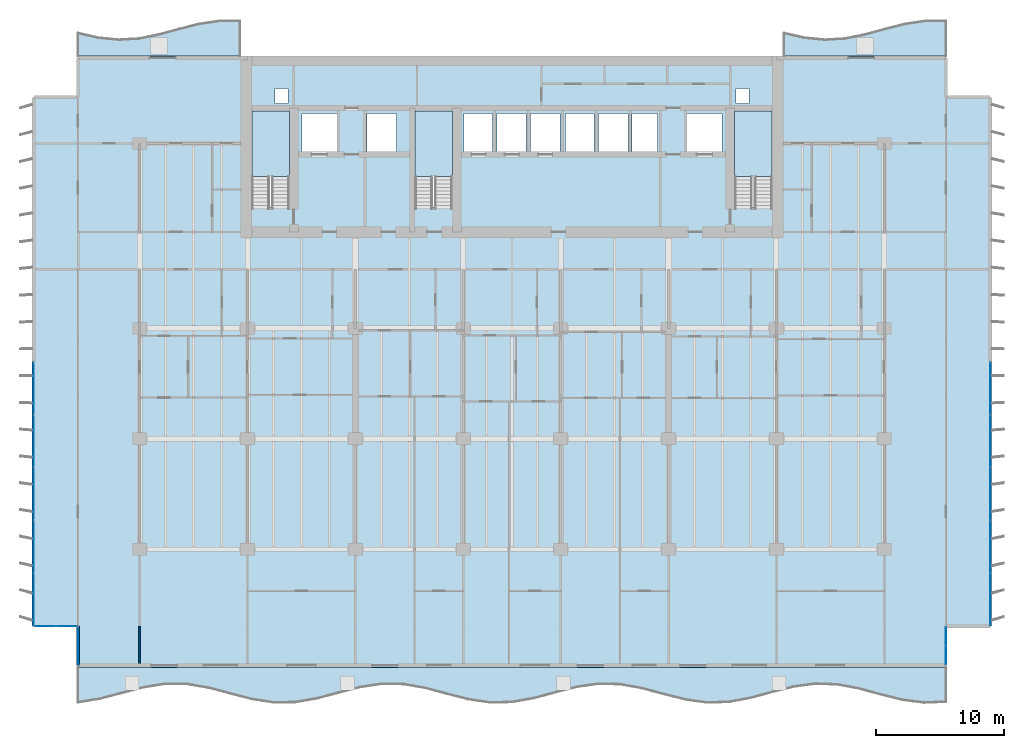
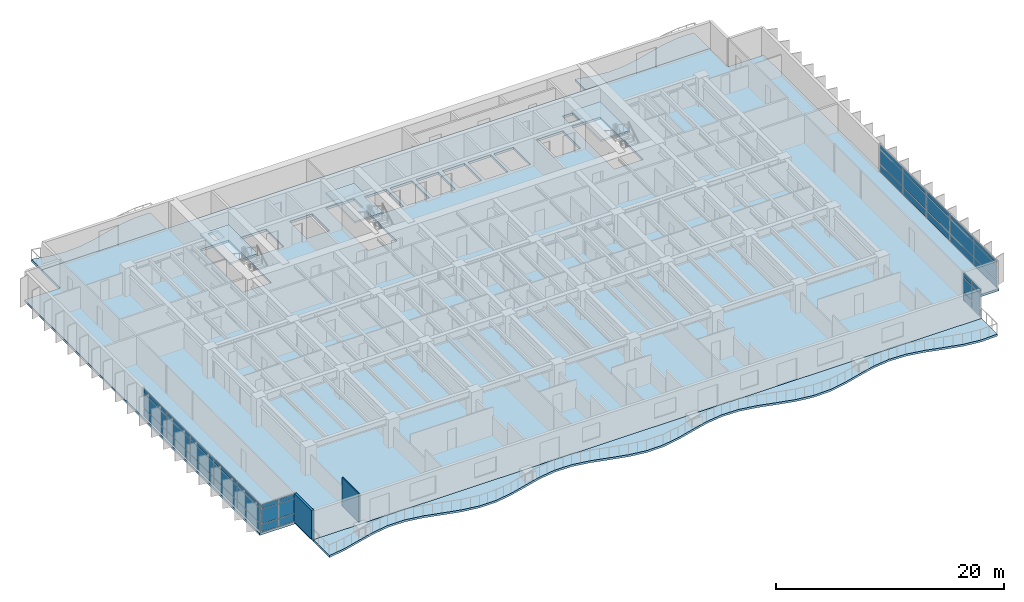
# One storey, part 5 of 18: 42 plates, 7 slabs, 2 walls, 7 elements without a shape of their own.
"""IFC4 building model written with IfcOpenShell, lengths in metres."""

from ifc_helpers import new_model, si_unit, direction, frame, frame_2d, origin, origin_2d, place, context, subcontext, project, spatial, polyline, rectangle, outline, extrude, material, layer, layer_set, type_object, element, aggregate, save


model = new_model("IFC4")

# Units and contexts
model_context = context("Model", 3, precision=1e-05, world=origin(), true_north=direction((0.0, 1.0)))
body_context = subcontext(model_context, "Body", "Model", "MODEL_VIEW")
ifc_project = project(units=[si_unit("LENGTHUNIT", "METRE"), si_unit("AREAUNIT", "SQUARE_METRE"), si_unit("VOLUMEUNIT", "CUBIC_METRE"), si_unit("PLANEANGLEUNIT", "RADIAN"), si_unit("MASSUNIT", "GRAM", prefix="KILO")], contexts=[model_context])

# Site, building, storey
site_placement = place(None, origin())
site = spatial("IfcSite", under=ifc_project, at=site_placement, CompositionType="ELEMENT")
building_placement = place(site_placement, origin())
building = spatial("IfcBuilding", under=site, at=building_placement, Name="Caelmar Bay Residences", CompositionType="ELEMENT")
storey_placement = place(building_placement, frame((0.0, 0.0, 39.89990234375)))
storey = spatial("IfcBuildingStorey", under=building, at=storey_placement, Name="L09", CompositionType="ELEMENT", Elevation=39.89990234375)

# Curtain wall, plates
ifc_material_1 = material(Name="Anodised bronze aluminium 6063-T6 and laminated glass", Category="aluminium")
ifc_layer_1 = layer(ifc_material_1, 0.179931640625)
ifc_layer_set_1 = layer_set([ifc_layer_1], Name="Anodised bronze aluminium 6063-T6 and laminated glass")
curtain_wall_type_1 = type_object("IfcCurtainWallType", Name="CW6-NTC", PredefinedType="NOTDEFINED", material=ifc_layer_set_1)
curtain_wall_1_placement = place(storey_placement, origin())
curtain_wall_1 = element("IfcCurtainWall", 1, at=curtain_wall_1_placement, inside=storey, type_object=curtain_wall_type_1, Name="CW6 curtain wall L09", PredefinedType="NOTDEFINED")
ifc_material_2 = material(Name="Bronze-tinted laminated low-E hurricane glass 28 mm", Category="glass")
ifc_layer_2 = layer(ifc_material_2, 0.028076171875)
ifc_layer_set_2 = layer_set([ifc_layer_2], Name="Bronze-tinted laminated low-E hurricane glass 28 mm")
plate_type = type_object("IfcPlateType", Name="CWP-GLZ28", PredefinedType="CURTAIN_PANEL", material=ifc_layer_set_2)
plate_1_placement = place(storey_placement, frame((2.532470703125, 6.199951171875, 0.080078125), z_axis=(0.0, 0.0, 1.0), x_axis=(1.0, 0.0, 0.0)))
plate_1 = element("IfcPlate", 2, at=plate_1_placement, type_object=plate_type, Name="CW6 panel 1.1", PredefinedType="CURTAIN_PANEL", context=body_context, shape_type="SweptSolid", body=[
    extrude(rectangle(XDim=1.60498046875, YDim=0.028076171875, at=origin_2d()), origin(), (0.0, 0.0, 1.0), 0.780029296875),
])
plate_2_placement = place(storey_placement, frame((2.532470703125, 6.199951171875, 0.940185546875), z_axis=(0.0, 0.0, 1.0), x_axis=(1.0, 0.0, 0.0)))
plate_2 = element("IfcPlate", 3, at=plate_2_placement, type_object=plate_type, Name="CW6 panel 1.2", PredefinedType="CURTAIN_PANEL", context=body_context, shape_type="SweptSolid", body=[
    extrude(rectangle(XDim=1.60498046875, YDim=0.028076171875, at=origin_2d()), origin(), (0.0, 0.0, 1.0), 1.52001953125),
])
plate_3_placement = place(storey_placement, frame((2.532470703125, 6.199951171875, 2.5400390625), z_axis=(0.0, 0.0, 1.0), x_axis=(1.0, 0.0, 0.0)))
plate_3 = element("IfcPlate", 4, at=plate_3_placement, type_object=plate_type, Name="CW6 panel 1.3", PredefinedType="CURTAIN_PANEL", context=body_context, shape_type="SweptSolid", body=[
    extrude(rectangle(XDim=1.60498046875, YDim=0.028076171875, at=origin_2d()), origin(), (0.0, 0.0, 1.0), 0.429931640625),
])
plate_4_placement = place(storey_placement, frame((4.217529296875, 6.199951171875, 0.080078125), z_axis=(0.0, 0.0, 1.0), x_axis=(1.0, 0.0, 0.0)))
plate_4 = element("IfcPlate", 5, at=plate_4_placement, type_object=plate_type, Name="CW6 panel 2.1", PredefinedType="CURTAIN_PANEL", context=body_context, shape_type="SweptSolid", body=[
    extrude(rectangle(XDim=1.60498046875, YDim=0.028076171875, at=origin_2d()), origin(), (0.0, 0.0, 1.0), 0.780029296875),
])
plate_5_placement = place(storey_placement, frame((4.217529296875, 6.199951171875, 0.940185546875), z_axis=(0.0, 0.0, 1.0), x_axis=(1.0, 0.0, 0.0)))
plate_5 = element("IfcPlate", 6, at=plate_5_placement, type_object=plate_type, Name="CW6 panel 2.2", PredefinedType="CURTAIN_PANEL", context=body_context, shape_type="SweptSolid", body=[
    extrude(rectangle(XDim=1.60498046875, YDim=0.028076171875, at=origin_2d()), origin(), (0.0, 0.0, 1.0), 1.52001953125),
])
plate_6_placement = place(storey_placement, frame((4.217529296875, 6.199951171875, 2.5400390625), z_axis=(0.0, 0.0, 1.0), x_axis=(1.0, 0.0, 0.0)))
plate_6 = element("IfcPlate", 7, at=plate_6_placement, type_object=plate_type, Name="CW6 panel 2.3", PredefinedType="CURTAIN_PANEL", context=body_context, shape_type="SweptSolid", body=[
    extrude(rectangle(XDim=1.60498046875, YDim=0.028076171875, at=origin_2d()), origin(), (0.0, 0.0, 1.0), 0.429931640625),
])
aggregate(curtain_wall_1, [plate_1, plate_2, plate_3, plate_4, plate_5, plate_6])

curtain_wall_2_placement = place(storey_placement, origin())
curtain_wall_2 = element("IfcCurtainWall", 8, at=curtain_wall_2_placement, inside=storey, type_object=curtain_wall_type_1, Name="CW6 curtain wall L09", PredefinedType="NOTDEFINED")
plate_7_placement = place(storey_placement, frame((72.699951171875, 3.9326171875, 0.080078125), z_axis=(0.0, 0.0, 1.0), x_axis=(0.0, 1.0, 0.0)))
plate_7 = element("IfcPlate", 9, at=plate_7_placement, type_object=plate_type, Name="CW6 panel 1.1", PredefinedType="CURTAIN_PANEL", context=body_context, shape_type="SweptSolid", body=[
    extrude(rectangle(XDim=1.405029296875, YDim=0.028076171875, at=origin_2d()), origin(), (0.0, 0.0, 1.0), 0.780029296875),
])
plate_8_placement = place(storey_placement, frame((72.699951171875, 3.9326171875, 0.940185546875), z_axis=(0.0, 0.0, 1.0), x_axis=(0.0, 1.0, 0.0)))
plate_8 = element("IfcPlate", 10, at=plate_8_placement, type_object=plate_type, Name="CW6 panel 1.2", PredefinedType="CURTAIN_PANEL", context=body_context, shape_type="SweptSolid", body=[
    extrude(rectangle(XDim=1.405029296875, YDim=0.028076171875, at=origin_2d()), origin(), (0.0, 0.0, 1.0), 1.52001953125),
])
plate_9_placement = place(storey_placement, frame((72.699951171875, 3.9326171875, 2.5400390625), z_axis=(0.0, 0.0, 1.0), x_axis=(0.0, 1.0, 0.0)))
plate_9 = element("IfcPlate", 11, at=plate_9_placement, type_object=plate_type, Name="CW6 panel 1.3", PredefinedType="CURTAIN_PANEL", context=body_context, shape_type="SweptSolid", body=[
    extrude(rectangle(XDim=1.405029296875, YDim=0.028076171875, at=origin_2d()), origin(), (0.0, 0.0, 1.0), 0.429931640625),
])
plate_10_placement = place(storey_placement, frame((72.699951171875, 5.41748046875, 0.080078125), z_axis=(0.0, 0.0, 1.0), x_axis=(0.0, 1.0, 0.0)))
plate_10 = element("IfcPlate", 12, at=plate_10_placement, type_object=plate_type, Name="CW6 panel 2.1", PredefinedType="CURTAIN_PANEL", context=body_context, shape_type="SweptSolid", body=[
    extrude(rectangle(XDim=1.405029296875, YDim=0.028076171875, at=origin_2d()), origin(), (0.0, 0.0, 1.0), 0.780029296875),
])
plate_11_placement = place(storey_placement, frame((72.699951171875, 5.41748046875, 0.940185546875), z_axis=(0.0, 0.0, 1.0), x_axis=(0.0, 1.0, 0.0)))
plate_11 = element("IfcPlate", 13, at=plate_11_placement, type_object=plate_type, Name="CW6 panel 2.2", PredefinedType="CURTAIN_PANEL", context=body_context, shape_type="SweptSolid", body=[
    extrude(rectangle(XDim=1.405029296875, YDim=0.028076171875, at=origin_2d()), origin(), (0.0, 0.0, 1.0), 1.52001953125),
])
plate_12_placement = place(storey_placement, frame((72.699951171875, 5.41748046875, 2.5400390625), z_axis=(0.0, 0.0, 1.0), x_axis=(0.0, 1.0, 0.0)))
plate_12 = element("IfcPlate", 14, at=plate_12_placement, type_object=plate_type, Name="CW6 panel 2.3", PredefinedType="CURTAIN_PANEL", context=body_context, shape_type="SweptSolid", body=[
    extrude(rectangle(XDim=1.405029296875, YDim=0.028076171875, at=origin_2d()), origin(), (0.0, 0.0, 1.0), 0.429931640625),
])
aggregate(curtain_wall_2, [plate_7, plate_8, plate_9, plate_10, plate_11, plate_12])

ifc_layer_3 = layer(ifc_material_1, 0.179931640625)
ifc_layer_set_3 = layer_set([ifc_layer_3], Name="Anodised bronze aluminium 6063-T6 and laminated glass")
curtain_wall_type_2 = type_object("IfcCurtainWallType", Name="CW2-Z1", PredefinedType="NOTDEFINED", material=ifc_layer_set_3)
curtain_wall_3_placement = place(storey_placement, origin())
curtain_wall_3 = element("IfcCurtainWall", 15, at=curtain_wall_3_placement, inside=storey, type_object=curtain_wall_type_2, Name="CW2 curtain wall L09", PredefinedType="NOTDEFINED")
plate_13_placement = place(storey_placement, frame((1.64990234375, 8.280029296875, 0.080078125), z_axis=(0.0, 0.0, 1.0), x_axis=(0.0, 1.0, 0.0)))
plate_13 = element("IfcPlate", 16, at=plate_13_placement, type_object=plate_type, Name="CW2 panel 1.1", PredefinedType="CURTAIN_PANEL", context=body_context, shape_type="SweptSolid", body=[
    extrude(rectangle(XDim=4.0, YDim=0.028076171875, at=origin_2d()), origin(), (0.0, 0.0, 1.0), 0.780029296875),
])
plate_14_placement = place(storey_placement, frame((1.64990234375, 8.280029296875, 0.940185546875), z_axis=(0.0, 0.0, 1.0), x_axis=(0.0, 1.0, 0.0)))
plate_14 = element("IfcPlate", 17, at=plate_14_placement, type_object=plate_type, Name="CW2 panel 1.2", PredefinedType="CURTAIN_PANEL", context=body_context, shape_type="SweptSolid", body=[
    extrude(rectangle(XDim=4.0, YDim=0.028076171875, at=origin_2d()), origin(), (0.0, 0.0, 1.0), 1.52001953125),
])
plate_15_placement = place(storey_placement, frame((1.64990234375, 8.280029296875, 2.5400390625), z_axis=(0.0, 0.0, 1.0), x_axis=(0.0, 1.0, 0.0)))
plate_15 = element("IfcPlate", 18, at=plate_15_placement, type_object=plate_type, Name="CW2 panel 1.3", PredefinedType="CURTAIN_PANEL", context=body_context, shape_type="SweptSolid", body=[
    extrude(rectangle(XDim=4.0, YDim=0.028076171875, at=origin_2d()), origin(), (0.0, 0.0, 1.0), 0.429931640625),
])
plate_16_placement = place(storey_placement, frame((1.64990234375, 12.3798828125, 0.080078125), z_axis=(0.0, 0.0, 1.0), x_axis=(0.0, 1.0, 0.0)))
plate_16 = element("IfcPlate", 19, at=plate_16_placement, type_object=plate_type, Name="CW2 panel 2.1", PredefinedType="CURTAIN_PANEL", context=body_context, shape_type="SweptSolid", body=[
    extrude(rectangle(XDim=4.0400390625, YDim=0.028076171875, at=origin_2d()), origin(), (0.0, 0.0, 1.0), 0.780029296875),
])
plate_17_placement = place(storey_placement, frame((1.64990234375, 12.3798828125, 0.940185546875), z_axis=(0.0, 0.0, 1.0), x_axis=(0.0, 1.0, 0.0)))
plate_17 = element("IfcPlate", 20, at=plate_17_placement, type_object=plate_type, Name="CW2 panel 2.2", PredefinedType="CURTAIN_PANEL", context=body_context, shape_type="SweptSolid", body=[
    extrude(rectangle(XDim=4.0400390625, YDim=0.028076171875, at=origin_2d()), origin(), (0.0, 0.0, 1.0), 1.52001953125),
])
plate_18_placement = place(storey_placement, frame((1.64990234375, 12.3798828125, 2.5400390625), z_axis=(0.0, 0.0, 1.0), x_axis=(0.0, 1.0, 0.0)))
plate_18 = element("IfcPlate", 21, at=plate_18_placement, type_object=plate_type, Name="CW2 panel 2.3", PredefinedType="CURTAIN_PANEL", context=body_context, shape_type="SweptSolid", body=[
    extrude(rectangle(XDim=4.0400390625, YDim=0.028076171875, at=origin_2d()), origin(), (0.0, 0.0, 1.0), 0.429931640625),
])
plate_19_placement = place(storey_placement, frame((1.64990234375, 16.5, 0.080078125), z_axis=(0.0, 0.0, 1.0), x_axis=(0.0, 1.0, 0.0)))
plate_19 = element("IfcPlate", 22, at=plate_19_placement, type_object=plate_type, Name="CW2 panel 3.1", PredefinedType="CURTAIN_PANEL", context=body_context, shape_type="SweptSolid", body=[
    extrude(rectangle(XDim=4.0400390625, YDim=0.028076171875, at=origin_2d()), origin(), (0.0, 0.0, 1.0), 0.780029296875),
])
plate_20_placement = place(storey_placement, frame((1.64990234375, 16.5, 0.940185546875), z_axis=(0.0, 0.0, 1.0), x_axis=(0.0, 1.0, 0.0)))
plate_20 = element("IfcPlate", 23, at=plate_20_placement, type_object=plate_type, Name="CW2 panel 3.2", PredefinedType="CURTAIN_PANEL", context=body_context, shape_type="SweptSolid", body=[
    extrude(rectangle(XDim=4.0400390625, YDim=0.028076171875, at=origin_2d()), origin(), (0.0, 0.0, 1.0), 1.52001953125),
])
plate_21_placement = place(storey_placement, frame((1.64990234375, 16.5, 2.5400390625), z_axis=(0.0, 0.0, 1.0), x_axis=(0.0, 1.0, 0.0)))
plate_21 = element("IfcPlate", 24, at=plate_21_placement, type_object=plate_type, Name="CW2 panel 3.3", PredefinedType="CURTAIN_PANEL", context=body_context, shape_type="SweptSolid", body=[
    extrude(rectangle(XDim=4.0400390625, YDim=0.028076171875, at=origin_2d()), origin(), (0.0, 0.0, 1.0), 0.429931640625),
])
plate_22_placement = place(storey_placement, frame((1.64990234375, 20.6201171875, 0.080078125), z_axis=(0.0, 0.0, 1.0), x_axis=(0.0, 1.0, 0.0)))
plate_22 = element("IfcPlate", 25, at=plate_22_placement, type_object=plate_type, Name="CW2 panel 4.1", PredefinedType="CURTAIN_PANEL", context=body_context, shape_type="SweptSolid", body=[
    extrude(rectangle(XDim=4.0400390625, YDim=0.028076171875, at=origin_2d()), origin(), (0.0, 0.0, 1.0), 0.780029296875),
])
plate_23_placement = place(storey_placement, frame((1.64990234375, 20.6201171875, 0.940185546875), z_axis=(0.0, 0.0, 1.0), x_axis=(0.0, 1.0, 0.0)))
plate_23 = element("IfcPlate", 26, at=plate_23_placement, type_object=plate_type, Name="CW2 panel 4.2", PredefinedType="CURTAIN_PANEL", context=body_context, shape_type="SweptSolid", body=[
    extrude(rectangle(XDim=4.0400390625, YDim=0.028076171875, at=origin_2d()), origin(), (0.0, 0.0, 1.0), 1.52001953125),
])
plate_24_placement = place(storey_placement, frame((1.64990234375, 20.6201171875, 2.5400390625), z_axis=(0.0, 0.0, 1.0), x_axis=(0.0, 1.0, 0.0)))
plate_24 = element("IfcPlate", 27, at=plate_24_placement, type_object=plate_type, Name="CW2 panel 4.3", PredefinedType="CURTAIN_PANEL", context=body_context, shape_type="SweptSolid", body=[
    extrude(rectangle(XDim=4.0400390625, YDim=0.028076171875, at=origin_2d()), origin(), (0.0, 0.0, 1.0), 0.429931640625),
])
plate_25_placement = place(storey_placement, frame((1.64990234375, 24.719970703125, 0.080078125), z_axis=(0.0, 0.0, 1.0), x_axis=(0.0, 1.0, 0.0)))
plate_25 = element("IfcPlate", 28, at=plate_25_placement, type_object=plate_type, Name="CW2 panel 5.1", PredefinedType="CURTAIN_PANEL", context=body_context, shape_type="SweptSolid", body=[
    extrude(rectangle(XDim=4.0, YDim=0.028076171875, at=origin_2d()), origin(), (0.0, 0.0, 1.0), 0.780029296875),
])
plate_26_placement = place(storey_placement, frame((1.64990234375, 24.719970703125, 0.940185546875), z_axis=(0.0, 0.0, 1.0), x_axis=(0.0, 1.0, 0.0)))
plate_26 = element("IfcPlate", 29, at=plate_26_placement, type_object=plate_type, Name="CW2 panel 5.2", PredefinedType="CURTAIN_PANEL", context=body_context, shape_type="SweptSolid", body=[
    extrude(rectangle(XDim=4.0, YDim=0.028076171875, at=origin_2d()), origin(), (0.0, 0.0, 1.0), 1.52001953125),
])
plate_27_placement = place(storey_placement, frame((1.64990234375, 24.719970703125, 2.5400390625), z_axis=(0.0, 0.0, 1.0), x_axis=(0.0, 1.0, 0.0)))
plate_27 = element("IfcPlate", 30, at=plate_27_placement, type_object=plate_type, Name="CW2 panel 5.3", PredefinedType="CURTAIN_PANEL", context=body_context, shape_type="SweptSolid", body=[
    extrude(rectangle(XDim=4.0, YDim=0.028076171875, at=origin_2d()), origin(), (0.0, 0.0, 1.0), 0.429931640625),
])
aggregate(curtain_wall_3, [plate_13, plate_14, plate_15, plate_16, plate_17, plate_18, plate_19, plate_20, plate_21, plate_22, plate_23, plate_24, plate_25, plate_26, plate_27])

curtain_wall_4_placement = place(storey_placement, origin())
curtain_wall_4 = element("IfcCurtainWall", 31, at=curtain_wall_4_placement, inside=storey, type_object=curtain_wall_type_2, Name="CW2 curtain wall L09", PredefinedType="NOTDEFINED")
plate_28_placement = place(storey_placement, frame((76.14990234375, 24.719970703125, 0.080078125), z_axis=(0.0, 0.0, 1.0), x_axis=(0.0, -1.0, 0.0)))
plate_28 = element("IfcPlate", 32, at=plate_28_placement, type_object=plate_type, Name="CW2 panel 1.1", PredefinedType="CURTAIN_PANEL", context=body_context, shape_type="SweptSolid", body=[
    extrude(rectangle(XDim=4.0, YDim=0.028076171875, at=origin_2d()), origin(), (0.0, 0.0, 1.0), 0.780029296875),
])
plate_29_placement = place(storey_placement, frame((76.14990234375, 24.719970703125, 0.940185546875), z_axis=(0.0, 0.0, 1.0), x_axis=(0.0, -1.0, 0.0)))
plate_29 = element("IfcPlate", 33, at=plate_29_placement, type_object=plate_type, Name="CW2 panel 1.2", PredefinedType="CURTAIN_PANEL", context=body_context, shape_type="SweptSolid", body=[
    extrude(rectangle(XDim=4.0, YDim=0.028076171875, at=origin_2d()), origin(), (0.0, 0.0, 1.0), 1.52001953125),
])
plate_30_placement = place(storey_placement, frame((76.14990234375, 24.719970703125, 2.5400390625), z_axis=(0.0, 0.0, 1.0), x_axis=(0.0, -1.0, 0.0)))
plate_30 = element("IfcPlate", 34, at=plate_30_placement, type_object=plate_type, Name="CW2 panel 1.3", PredefinedType="CURTAIN_PANEL", context=body_context, shape_type="SweptSolid", body=[
    extrude(rectangle(XDim=4.0, YDim=0.028076171875, at=origin_2d()), origin(), (0.0, 0.0, 1.0), 0.429931640625),
])
plate_31_placement = place(storey_placement, frame((76.14990234375, 20.6201171875, 0.080078125), z_axis=(0.0, 0.0, 1.0), x_axis=(0.0, -1.0, 0.0)))
plate_31 = element("IfcPlate", 35, at=plate_31_placement, type_object=plate_type, Name="CW2 panel 2.1", PredefinedType="CURTAIN_PANEL", context=body_context, shape_type="SweptSolid", body=[
    extrude(rectangle(XDim=4.0400390625, YDim=0.028076171875, at=origin_2d()), origin(), (0.0, 0.0, 1.0), 0.780029296875),
])
plate_32_placement = place(storey_placement, frame((76.14990234375, 20.6201171875, 0.940185546875), z_axis=(0.0, 0.0, 1.0), x_axis=(0.0, -1.0, 0.0)))
plate_32 = element("IfcPlate", 36, at=plate_32_placement, type_object=plate_type, Name="CW2 panel 2.2", PredefinedType="CURTAIN_PANEL", context=body_context, shape_type="SweptSolid", body=[
    extrude(rectangle(XDim=4.0400390625, YDim=0.028076171875, at=origin_2d()), origin(), (0.0, 0.0, 1.0), 1.52001953125),
])
plate_33_placement = place(storey_placement, frame((76.14990234375, 20.6201171875, 2.5400390625), z_axis=(0.0, 0.0, 1.0), x_axis=(0.0, -1.0, 0.0)))
plate_33 = element("IfcPlate", 37, at=plate_33_placement, type_object=plate_type, Name="CW2 panel 2.3", PredefinedType="CURTAIN_PANEL", context=body_context, shape_type="SweptSolid", body=[
    extrude(rectangle(XDim=4.0400390625, YDim=0.028076171875, at=origin_2d()), origin(), (0.0, 0.0, 1.0), 0.429931640625),
])
plate_34_placement = place(storey_placement, frame((76.14990234375, 16.5, 0.080078125), z_axis=(0.0, 0.0, 1.0), x_axis=(0.0, -1.0, 0.0)))
plate_34 = element("IfcPlate", 38, at=plate_34_placement, type_object=plate_type, Name="CW2 panel 3.1", PredefinedType="CURTAIN_PANEL", context=body_context, shape_type="SweptSolid", body=[
    extrude(rectangle(XDim=4.0400390625, YDim=0.028076171875, at=origin_2d()), origin(), (0.0, 0.0, 1.0), 0.780029296875),
])
plate_35_placement = place(storey_placement, frame((76.14990234375, 16.5, 0.940185546875), z_axis=(0.0, 0.0, 1.0), x_axis=(0.0, -1.0, 0.0)))
plate_35 = element("IfcPlate", 39, at=plate_35_placement, type_object=plate_type, Name="CW2 panel 3.2", PredefinedType="CURTAIN_PANEL", context=body_context, shape_type="SweptSolid", body=[
    extrude(rectangle(XDim=4.0400390625, YDim=0.028076171875, at=origin_2d()), origin(), (0.0, 0.0, 1.0), 1.52001953125),
])
plate_36_placement = place(storey_placement, frame((76.14990234375, 16.5, 2.5400390625), z_axis=(0.0, 0.0, 1.0), x_axis=(0.0, -1.0, 0.0)))
plate_36 = element("IfcPlate", 40, at=plate_36_placement, type_object=plate_type, Name="CW2 panel 3.3", PredefinedType="CURTAIN_PANEL", context=body_context, shape_type="SweptSolid", body=[
    extrude(rectangle(XDim=4.0400390625, YDim=0.028076171875, at=origin_2d()), origin(), (0.0, 0.0, 1.0), 0.429931640625),
])
plate_37_placement = place(storey_placement, frame((76.14990234375, 12.3798828125, 0.080078125), z_axis=(0.0, 0.0, 1.0), x_axis=(0.0, -1.0, 0.0)))
plate_37 = element("IfcPlate", 41, at=plate_37_placement, type_object=plate_type, Name="CW2 panel 4.1", PredefinedType="CURTAIN_PANEL", context=body_context, shape_type="SweptSolid", body=[
    extrude(rectangle(XDim=4.0400390625, YDim=0.028076171875, at=origin_2d()), origin(), (0.0, 0.0, 1.0), 0.780029296875),
])
plate_38_placement = place(storey_placement, frame((76.14990234375, 12.3798828125, 0.940185546875), z_axis=(0.0, 0.0, 1.0), x_axis=(0.0, -1.0, 0.0)))
plate_38 = element("IfcPlate", 42, at=plate_38_placement, type_object=plate_type, Name="CW2 panel 4.2", PredefinedType="CURTAIN_PANEL", context=body_context, shape_type="SweptSolid", body=[
    extrude(rectangle(XDim=4.0400390625, YDim=0.028076171875, at=origin_2d()), origin(), (0.0, 0.0, 1.0), 1.52001953125),
])
plate_39_placement = place(storey_placement, frame((76.14990234375, 12.3798828125, 2.5400390625), z_axis=(0.0, 0.0, 1.0), x_axis=(0.0, -1.0, 0.0)))
plate_39 = element("IfcPlate", 43, at=plate_39_placement, type_object=plate_type, Name="CW2 panel 4.3", PredefinedType="CURTAIN_PANEL", context=body_context, shape_type="SweptSolid", body=[
    extrude(rectangle(XDim=4.0400390625, YDim=0.028076171875, at=origin_2d()), origin(), (0.0, 0.0, 1.0), 0.429931640625),
])
plate_40_placement = place(storey_placement, frame((76.14990234375, 8.280029296875, 0.080078125), z_axis=(0.0, 0.0, 1.0), x_axis=(0.0, -1.0, 0.0)))
plate_40 = element("IfcPlate", 44, at=plate_40_placement, type_object=plate_type, Name="CW2 panel 5.1", PredefinedType="CURTAIN_PANEL", context=body_context, shape_type="SweptSolid", body=[
    extrude(rectangle(XDim=4.0, YDim=0.028076171875, at=origin_2d()), origin(), (0.0, 0.0, 1.0), 0.780029296875),
])
plate_41_placement = place(storey_placement, frame((76.14990234375, 8.280029296875, 0.940185546875), z_axis=(0.0, 0.0, 1.0), x_axis=(0.0, -1.0, 0.0)))
plate_41 = element("IfcPlate", 45, at=plate_41_placement, type_object=plate_type, Name="CW2 panel 5.2", PredefinedType="CURTAIN_PANEL", context=body_context, shape_type="SweptSolid", body=[
    extrude(rectangle(XDim=4.0, YDim=0.028076171875, at=origin_2d()), origin(), (0.0, 0.0, 1.0), 1.52001953125),
])
plate_42_placement = place(storey_placement, frame((76.14990234375, 8.280029296875, 2.5400390625), z_axis=(0.0, 0.0, 1.0), x_axis=(0.0, -1.0, 0.0)))
plate_42 = element("IfcPlate", 46, at=plate_42_placement, type_object=plate_type, Name="CW2 panel 5.3", PredefinedType="CURTAIN_PANEL", context=body_context, shape_type="SweptSolid", body=[
    extrude(rectangle(XDim=4.0, YDim=0.028076171875, at=origin_2d()), origin(), (0.0, 0.0, 1.0), 0.429931640625),
])
aggregate(curtain_wall_4, [plate_28, plate_29, plate_30, plate_31, plate_32, plate_33, plate_34, plate_35, plate_36, plate_37, plate_38, plate_39, plate_40, plate_41, plate_42])

# Slabs
ifc_material_3 = material(Name="Concrete f'c 40 MPa (6,000 psi)", Category="concrete")
ifc_layer_4 = layer(ifc_material_3, 0.219970703125)
ifc_layer_set_4 = layer_set([ifc_layer_4], Name="Concrete f'c 40 MPa (6,000 psi)")
slab_type_1 = type_object("IfcSlabType", Name="SLB-BAL-220", PredefinedType="FLOOR", material=ifc_layer_set_4)
slab_1_placement = place(storey_placement, frame((0.0, 0.0, -0.219970703125)))
element("IfcSlab", 47, at=slab_1_placement, inside=storey, type_object=slab_type_1, Name="L09 Sinusoidal Tree-Balcony Slab south", PredefinedType="FLOOR", context=body_context, shape_type="SweptSolid", body=[
    extrude(outline(polyline([(5.10009765625, 0.186767578125), (6.7900390625, 0.46142578125), (8.47998046875, 0.905517578125), (10.169921875, 1.34765625), (11.860107421875, 1.61669921875), (13.550048828125, 1.60888671875), (15.239990234375, 1.3271484375), (16.929931640625, 0.88037109375), (18.6201171875, 0.441162109375), (20.31005859375, 0.17919921875), (22.0, 0.19580078125), (23.68994140625, 0.484619140625), (25.3798828125, 0.93359375), (27.070068359375, 1.369873046875), (28.760009765625, 1.62451171875), (30.449951171875, 1.59912109375), (32.139892578125, 1.3037109375), (33.830078125, 0.852294921875), (35.52001953125, 0.419189453125), (37.2099609375, 0.172119140625), (38.89990234375, 0.2060546875), (40.590087890625, 0.508056640625), (42.280029296875, 0.961669921875), (43.969970703125, 1.391357421875), (45.659912109375, 1.631103515625), (47.35009765625, 1.58837890625), (49.0400390625, 1.27978515625), (50.72998046875, 0.824462890625), (52.419921875, 0.398193359375), (54.110107421875, 0.165771484375), (55.800048828125, 0.217041015625), (57.489990234375, 0.5322265625), (59.179931640625, 0.989501953125), (60.8701171875, 1.412109375), (62.56005859375, 1.636962890625), (64.25, 1.576904296875), (65.93994140625, 1.25537109375), (67.6298828125, 0.79638671875), (69.320068359375, 0.377685546875), (71.010009765625, 0.16064453125), (72.699951171875, 0.229248046875), (72.699951171875, 3.0), (5.10009765625, 3.0), (5.10009765625, 0.186767578125)])), origin(), (0.0, 0.0, 1.0), 0.219970703125),
])
slab_2_placement = place(storey_placement, frame((0.0, 0.0, -0.219970703125)))
element("IfcSlab", 48, at=slab_2_placement, inside=storey, type_object=slab_type_1, Name="L09 Sinusoidal Tree-Balcony Slab north_west", PredefinedType="FLOOR", context=body_context, shape_type="SweptSolid", body=[
    extrude(outline(polyline([(5.10009765625, 50.60009765625), (17.699951171875, 50.60009765625), (17.699951171875, 53.413330078125), (16.125, 53.421875), (14.550048828125, 53.18701171875), (12.97509765625, 52.7880859375), (11.39990234375, 52.359619140625), (9.824951171875, 52.045654296875), (8.25, 51.952392578125), (6.675048828125, 52.111083984375), (5.10009765625, 52.46826171875), (5.10009765625, 50.60009765625)])), origin(), (0.0, 0.0, 1.0), 0.219970703125),
])
slab_3_placement = place(storey_placement, frame((0.0, 0.0, -0.219970703125)))
element("IfcSlab", 49, at=slab_3_placement, inside=storey, type_object=slab_type_1, Name="L09 Sinusoidal Tree-Balcony Slab north_east", PredefinedType="FLOOR", context=body_context, shape_type="SweptSolid", body=[
    extrude(outline(polyline([(60.10009765625, 50.60009765625), (72.699951171875, 50.60009765625), (72.699951171875, 53.413330078125), (71.125, 53.421875), (69.550048828125, 53.18701171875), (67.97509765625, 52.7880859375), (66.39990234375, 52.359619140625), (64.824951171875, 52.045654296875), (63.25, 51.952392578125), (61.675048828125, 52.111083984375), (60.10009765625, 52.46826171875), (60.10009765625, 50.60009765625)])), origin(), (0.0, 0.0, 1.0), 0.219970703125),
])

# Stair, slab
stair_type = type_object("IfcStairType", Name="ST-TYP-165", PredefinedType="HALF_TURN_STAIR", material=ifc_material_3)
stair_1_placement = place(storey_placement, origin())
stair_1 = element("IfcStair", 50, at=stair_1_placement, inside=storey, type_object=stair_type, Name="L09 West Smokeproof Exit Stair ST1", PredefinedType="HALF_TURN_STAIR")
ifc_layer_5 = layer(ifc_material_3, 0.199951171875)
ifc_layer_set_5 = layer_set([ifc_layer_5], Name="Concrete f'c 40 MPa (6,000 psi)")
slab_type_2 = type_object("IfcSlabType", Name="SLB-LND-200", PredefinedType="LANDING", material=ifc_layer_set_5)
slab_4_placement = place(storey_placement, frame((0.0, 0.0, 1.4501953125)))
slab_4 = element("IfcSlab", 51, at=slab_4_placement, type_object=slab_type_2, Name="ST1 landing 1", PredefinedType="LANDING", context=body_context, shape_type="SweptSolid", body=[
    extrude(outline(polyline([(21.550048828125, 41.219970703125), (21.550048828125, 46.35009765625), (18.64990234375, 46.35009765625), (18.64990234375, 41.219970703125), (21.550048828125, 41.219970703125)])), origin(), (0.0, 0.0, 1.0), 0.199951171875),
])
aggregate(stair_1, [slab_4])

stair_2_placement = place(storey_placement, origin())
stair_2 = element("IfcStair", 52, at=stair_2_placement, inside=storey, type_object=stair_type, Name="L09 East Smokeproof Exit Stair ST2", PredefinedType="HALF_TURN_STAIR")
slab_5_placement = place(storey_placement, frame((0.0, 0.0, 1.4501953125)))
slab_5 = element("IfcSlab", 53, at=slab_5_placement, type_object=slab_type_2, Name="ST2 landing 1", PredefinedType="LANDING", context=body_context, shape_type="SweptSolid", body=[
    extrude(outline(polyline([(59.14990234375, 41.219970703125), (59.14990234375, 46.35009765625), (56.25, 46.35009765625), (56.25, 41.219970703125), (59.14990234375, 41.219970703125)])), origin(), (0.0, 0.0, 1.0), 0.199951171875),
])
aggregate(stair_2, [slab_5])

stair_3_placement = place(storey_placement, origin())
stair_3 = element("IfcStair", 54, at=stair_3_placement, inside=storey, type_object=stair_type, Name="L09 Central Smokeproof Exit Stair ST3", PredefinedType="HALF_TURN_STAIR")
slab_6_placement = place(storey_placement, frame((0.0, 0.0, 1.4501953125)))
slab_6 = element("IfcSlab", 55, at=slab_6_placement, type_object=slab_type_2, Name="ST3 landing 1", PredefinedType="LANDING", context=body_context, shape_type="SweptSolid", body=[
    extrude(outline(polyline([(34.25, 41.219970703125), (34.25, 46.35009765625), (31.35009765625, 46.35009765625), (31.35009765625, 41.219970703125), (34.25, 41.219970703125)])), origin(), (0.0, 0.0, 1.0), 0.199951171875),
])
aggregate(stair_3, [slab_6])

# Slab
ifc_layer_6 = layer(ifc_material_3, 0.25)
ifc_layer_set_6 = layer_set([ifc_layer_6], Name="Concrete f'c 40 MPa (6,000 psi)")
slab_type_3 = type_object("IfcSlabType", Name="SLB-RES-250", PredefinedType="FLOOR", material=ifc_layer_set_6)
slab_7_placement = place(storey_placement, frame((0.0, 0.0, -0.25)))
element("IfcSlab", 56, at=slab_7_placement, inside=storey, type_object=slab_type_3, Name="L09 Structural Floor Slab", PredefinedType="FLOOR", context=body_context, shape_type="SweptSolid", body=[
    extrude(outline(polyline([(5.10009765625, 3.0), (72.699951171875, 3.0), (72.699951171875, 6.199951171875), (76.300048828125, 6.199951171875), (76.300048828125, 47.39990234375), (72.699951171875, 47.39990234375), (72.699951171875, 50.60009765625), (5.10009765625, 50.60009765625), (5.10009765625, 47.39990234375), (1.5, 47.39990234375), (1.5, 6.199951171875), (5.10009765625, 6.199951171875), (5.10009765625, 3.0)]), holes=[polyline([(18.64990234375, 38.85009765625), (21.550048828125, 38.85009765625), (21.550048828125, 46.35009765625), (18.64990234375, 46.35009765625), (18.64990234375, 38.85009765625)]), polyline([(56.25, 38.85009765625), (59.14990234375, 38.85009765625), (59.14990234375, 46.35009765625), (56.25, 46.35009765625), (56.25, 38.85009765625)]), polyline([(31.35009765625, 38.85009765625), (34.25, 38.85009765625), (34.25, 46.35009765625), (31.35009765625, 46.35009765625), (31.35009765625, 38.85009765625)]), polyline([(22.550048828125, 43.050048828125), (25.25, 43.050048828125), (25.25, 46.14990234375), (22.550048828125, 46.14990234375), (22.550048828125, 43.050048828125)]), polyline([(52.550048828125, 43.050048828125), (55.25, 43.050048828125), (55.25, 46.14990234375), (52.550048828125, 46.14990234375), (52.550048828125, 43.050048828125)]), polyline([(35.14990234375, 43.14990234375), (37.39990234375, 43.14990234375), (37.39990234375, 46.14990234375), (35.14990234375, 46.14990234375), (35.14990234375, 43.14990234375)]), polyline([(37.75, 43.14990234375), (40.0, 43.14990234375), (40.0, 46.14990234375), (37.75, 46.14990234375), (37.75, 43.14990234375)]), polyline([(40.35009765625, 43.14990234375), (42.64990234375, 43.14990234375), (42.64990234375, 46.14990234375), (40.35009765625, 46.14990234375), (40.35009765625, 43.14990234375)]), polyline([(43.050048828125, 43.14990234375), (45.300048828125, 43.14990234375), (45.300048828125, 46.14990234375), (43.050048828125, 46.14990234375), (43.050048828125, 43.14990234375)]), polyline([(45.64990234375, 43.14990234375), (47.949951171875, 43.14990234375), (47.949951171875, 46.14990234375), (45.64990234375, 46.14990234375), (45.64990234375, 43.14990234375)]), polyline([(48.25, 43.14990234375), (50.25, 43.14990234375), (50.25, 46.14990234375), (48.25, 46.14990234375), (48.25, 43.14990234375)]), polyline([(27.60009765625, 43.14990234375), (29.89990234375, 43.14990234375), (29.89990234375, 46.14990234375), (27.60009765625, 46.14990234375), (27.60009765625, 43.14990234375)]), polyline([(20.449951171875, 46.89990234375), (21.449951171875, 46.89990234375), (21.449951171875, 48.10009765625), (20.449951171875, 48.10009765625), (20.449951171875, 46.89990234375)]), polyline([(56.35009765625, 46.89990234375), (57.35009765625, 46.89990234375), (57.35009765625, 48.10009765625), (56.35009765625, 48.10009765625), (56.35009765625, 46.89990234375)])]), origin(), (0.0, 0.0, 1.0), 0.25),
])

# Walls
ifc_material_4 = material(Name="Precast concrete f'c 40 MPa (6,000 psi)", Category="concrete")
ifc_layer_7 = layer(ifc_material_4, 0.25)
ifc_layer_set_7 = layer_set([ifc_layer_7], Name="Precast concrete f'c 40 MPa (6,000 psi)")
wall_type_1 = type_object("IfcWallType", Name="W-EXT-250", PredefinedType="ELEMENTEDWALL", material=ifc_layer_set_7)
wall_1_placement = place(storey_placement, frame((5.10009765625, 6.199951171875, 0.0), z_axis=(0.0, 0.0, 1.0), x_axis=(0.0, -1.0, 0.0)))
element("IfcWall", 57, at=wall_1_placement, inside=storey, type_object=wall_type_1, Name="L09 SW Notch Return Wall", PredefinedType="ELEMENTEDWALL", context=body_context, shape_type="SweptSolid", body=[
    extrude(rectangle(XDim=3.050048828125, YDim=0.25, at=frame_2d((1.52490234375, 0.0))), origin(), (0.0, 0.0, 1.0), 3.050048828125),
])
ifc_material_5 = material(Name="Acoustic metal-stud gypsum partition 120 mm")
ifc_layer_8 = layer(ifc_material_5, 0.1201171875)
ifc_layer_set_8 = layer_set([ifc_layer_8], Name="Acoustic metal-stud gypsum partition 120 mm")
wall_type_2 = type_object("IfcWallType", Name="W-PRT-120", PredefinedType="PARTITIONING", material=ifc_layer_set_8)
wall_2_placement = place(storey_placement, frame((9.89990234375, 3.294921875, 0.0), z_axis=(0.0, 0.0, 1.0), x_axis=(0.0, 1.0, 0.0)))
element("IfcWall", 58, at=wall_2_placement, inside=storey, type_object=wall_type_2, Name="L09 Partition Wall V008", PredefinedType="PARTITIONING", context=body_context, shape_type="SweptSolid", body=[
    extrude(rectangle(XDim=2.905029296875, YDim=0.1201171875, at=frame_2d((1.45263671875, 0.0))), origin(), (0.0, 0.0, 1.0), 3.050048828125),
])

save(model, "model.ifc")
